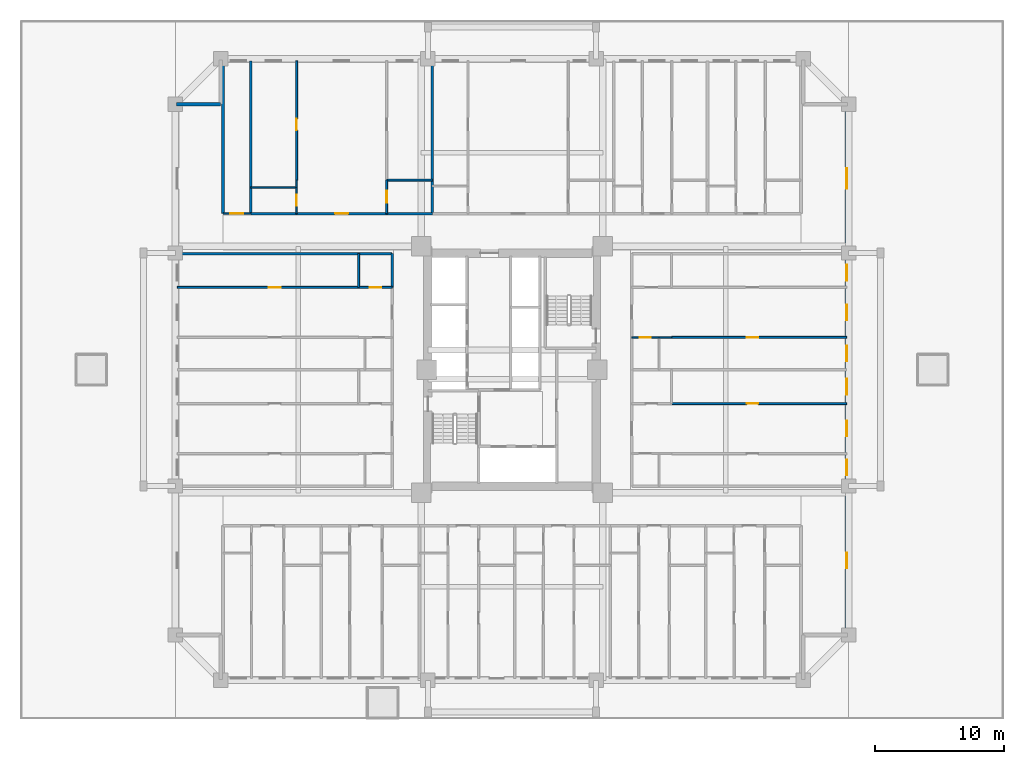
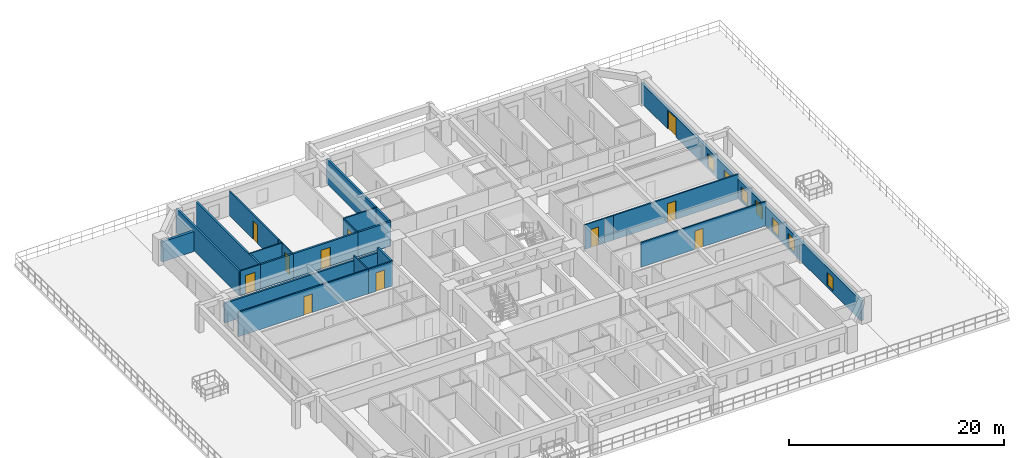
# One storey, part 7 of 19: 24 walls, 11 doors, 7 windows, 18 openings.
"""IFC4 building model written with IfcOpenShell, lengths in metres."""

from ifc_helpers import new_model, si_unit, direction, frame, frame_2d, origin, place, context, subcontext, project, spatial, rectangle, extrude, source, transform, mapped, material, layer, layer_set, type_object, element, fill, save


model = new_model("IFC4")

# Units and contexts
model_context = context("Model", 3, precision=1e-05, world=origin(), true_north=direction((0.0, 1.0)))
body_context = subcontext(model_context, "Body", "Model", "MODEL_VIEW")
ifc_project = project(units=[si_unit("LENGTHUNIT", "METRE"), si_unit("AREAUNIT", "SQUARE_METRE"), si_unit("VOLUMEUNIT", "CUBIC_METRE"), si_unit("PLANEANGLEUNIT", "RADIAN"), si_unit("MASSUNIT", "GRAM", prefix="KILO")], contexts=[model_context])

# Site, building, storey
site_placement = place(None, origin())
site = spatial("IfcSite", under=ifc_project, at=site_placement, CompositionType="ELEMENT")
building_placement = place(site_placement, origin())
building = spatial("IfcBuilding", under=site, at=building_placement, Name="Saelheon Loggia Tower", CompositionType="ELEMENT")
storey_placement = place(building_placement, frame((0.0, 0.0, 19.39990234375)))
storey = spatial("IfcBuildingStorey", under=building, at=storey_placement, Name="L05", CompositionType="ELEMENT", Elevation=19.39990234375)

# Wall, openings, windows, door
ifc_material_1 = material(Name="Architectural Precast Concrete C40/50", Category="concrete")
ifc_layer_1 = layer(ifc_material_1, 0.280029296875)
ifc_layer_set_1 = layer_set([ifc_layer_1], Name="Architectural Precast Concrete C40/50")
wall_type_1 = type_object("IfcWallType", Name="Wall_Ext_Loggia_280", PredefinedType="SOLIDWALL", material=ifc_layer_set_1)
wall_1_placement = place(storey_placement, frame((63.860107421875, 6.5, 0.0), z_axis=(0.0, 0.0, 1.0), x_axis=(0.0, 1.0, 0.0)))
wall_1 = element("IfcWall", 1, at=wall_1_placement, inside=storey, type_object=wall_type_1, Name="L05 East Loggia Inner Wall", PredefinedType="SOLIDWALL", context=body_context, shape_type="SweptSolid", body=[
    extrude(rectangle(XDim=41.0, YDim=0.280029296875, at=frame_2d((20.5, 0.0))), origin(), (0.0, 0.0, 1.0), 2.280029296875),
])
opening_1_placement = place(wall_1_placement, frame((5.14990234375, 0.0, 0.25)))
opening_1 = element("IfcOpeningElement", 2, at=opening_1_placement, cuts=wall_1, Name="Opening WN-03", PredefinedType="OPENING", context=body_context, shape_type="SweptSolid", body=[
    extrude(rectangle(XDim=1.199951171875, YDim=1.5, at=frame_2d((0.60009765625, 0.75))), frame((0.0, 0.152099609375, 0.0), z_axis=(0.0, -1.0, 0.0), x_axis=(1.0, 0.0, 0.0)), (0.0, 0.0, 1.0), 0.303955078125),
])
opening_2_placement = place(wall_1_placement, frame((12.3515625, 0.0, 0.25)))
opening_2 = element("IfcOpeningElement", 3, at=opening_2_placement, cuts=wall_1, Name="Opening WN-03", PredefinedType="OPENING", context=body_context, shape_type="SweptSolid", body=[
    extrude(rectangle(XDim=1.199951171875, YDim=1.5, at=frame_2d((0.60009765625, 0.75))), frame((0.0, 0.152099609375, 0.0), z_axis=(0.0, -1.0, 0.0), x_axis=(1.0, 0.0, 0.0)), (0.0, 0.0, 1.0), 0.303955078125),
])
opening_3_placement = place(wall_1_placement, frame((15.343994140625, 0.0, 0.25)))
opening_3 = element("IfcOpeningElement", 4, at=opening_3_placement, cuts=wall_1, Name="Opening WN-03", PredefinedType="OPENING", context=body_context, shape_type="SweptSolid", body=[
    extrude(rectangle(XDim=1.199951171875, YDim=1.5, at=frame_2d((0.60009765625, 0.75))), frame((0.0, 0.152099609375, 0.0), z_axis=(0.0, -1.0, 0.0), x_axis=(1.0, 0.0, 0.0)), (0.0, 0.0, 1.0), 0.303955078125),
])
opening_4_placement = place(wall_1_placement, frame((18.574951171875, 0.0, 0.25)))
opening_4 = element("IfcOpeningElement", 5, at=opening_4_placement, cuts=wall_1, Name="Opening WN-03", PredefinedType="OPENING", context=body_context, shape_type="SweptSolid", body=[
    extrude(rectangle(XDim=1.199951171875, YDim=1.5, at=frame_2d((0.60009765625, 0.75))), frame((0.0, 0.152099609375, 0.0), z_axis=(0.0, -1.0, 0.0), x_axis=(1.0, 0.0, 0.0)), (0.0, 0.0, 1.0), 0.303955078125),
])
opening_5_placement = place(wall_1_placement, frame((21.131591796875, 0.0, 0.25)))
opening_5 = element("IfcOpeningElement", 6, at=opening_5_placement, cuts=wall_1, Name="Opening WN-03", PredefinedType="OPENING", context=body_context, shape_type="SweptSolid", body=[
    extrude(rectangle(XDim=1.199951171875, YDim=1.5, at=frame_2d((0.60009765625, 0.75))), frame((0.0, 0.152099609375, 0.0), z_axis=(0.0, -1.0, 0.0), x_axis=(1.0, 0.0, 0.0)), (0.0, 0.0, 1.0), 0.303955078125),
])
opening_6_placement = place(wall_1_placement, frame((24.319091796875, 0.0, 0.25)))
opening_6 = element("IfcOpeningElement", 7, at=opening_6_placement, cuts=wall_1, Name="Opening WN-03", PredefinedType="OPENING", context=body_context, shape_type="SweptSolid", body=[
    extrude(rectangle(XDim=1.199951171875, YDim=1.5, at=frame_2d((0.60009765625, 0.75))), frame((0.0, 0.152099609375, 0.0), z_axis=(0.0, -1.0, 0.0), x_axis=(1.0, 0.0, 0.0)), (0.0, 0.0, 1.0), 0.303955078125),
])
opening_7_placement = place(wall_1_placement, frame((27.3798828125, 0.0, 0.25)))
opening_7 = element("IfcOpeningElement", 8, at=opening_7_placement, cuts=wall_1, Name="Opening WN-03", PredefinedType="OPENING", context=body_context, shape_type="SweptSolid", body=[
    extrude(rectangle(XDim=1.199951171875, YDim=1.5, at=frame_2d((0.60009765625, 0.75))), frame((0.0, 0.152099609375, 0.0), z_axis=(0.0, -1.0, 0.0), x_axis=(1.0, 0.0, 0.0)), (0.0, 0.0, 1.0), 0.303955078125),
])
opening_8_placement = place(wall_1_placement, frame((36.050048828125, 0.0, 0.0), z_axis=(0.0, 0.0, 1.0), x_axis=(-1.0, 0.0, 0.0)))
opening_8 = element("IfcOpeningElement", 9, at=opening_8_placement, cuts=wall_1, Name="Opening DLG-1", PredefinedType="OPENING", context=body_context, shape_type="SweptSolid", body=[
    extrude(rectangle(XDim=1.60009765625, YDim=2.14990234375, at=frame_2d((0.800048828125, 1.074951171875))), frame((0.0, 0.152099609375, 0.0), z_axis=(0.0, -1.0, 0.0), x_axis=(1.0, 0.0, 0.0)), (0.0, 0.0, 1.0), 0.303955078125),
])
ifc_material_2 = material(Name="Thermal-Break Aluminium and Triple Low-E Glass", Category="aluminium")
window_type = type_object("IfcWindowType", Name="Win_Bedroom_1200x1500", PartitioningType="SINGLE_PANEL", PredefinedType="WINDOW", material=ifc_material_2)
shared_shape_1 = source(origin(), body_context, "Body", "SweptSolid", [
    extrude(rectangle(XDim=1.199951171875, YDim=1.5, at=frame_2d((0.60009765625, 0.75))), frame((0.0, 0.030029296875, 0.0), z_axis=(0.0, -1.0, 0.0), x_axis=(1.0, 0.0, 0.0)), (0.0, 0.0, 1.0), 0.06005859375),
])
window_1_placement = place(opening_1_placement, origin())
window_1 = element("IfcWindow", 10, at=window_1_placement, inside=storey, type_object=window_type, Name="L05 E Dwelling Window 1", OverallHeight=1.5, OverallWidth=1.199951171875, PartitioningType="SINGLE_PANEL", PredefinedType="WINDOW", context=body_context, shape_type="MappedRepresentation", body=[
    mapped(shared_shape_1, transform((0.0, 0.0, 0.0), scale=1.0)),
])
fill(opening_1, window_1)
window_2_placement = place(opening_2_placement, origin())
window_2 = element("IfcWindow", 11, at=window_2_placement, inside=storey, type_object=window_type, Name="L05 E Dwelling Window 2", OverallHeight=1.5, OverallWidth=1.199951171875, PartitioningType="SINGLE_PANEL", PredefinedType="WINDOW", context=body_context, shape_type="MappedRepresentation", body=[
    mapped(shared_shape_1, transform((0.0, 0.0, 0.0), scale=1.0)),
])
fill(opening_2, window_2)
window_3_placement = place(opening_3_placement, origin())
window_3 = element("IfcWindow", 12, at=window_3_placement, inside=storey, type_object=window_type, Name="L05 E Dwelling Window 3", OverallHeight=1.5, OverallWidth=1.199951171875, PartitioningType="SINGLE_PANEL", PredefinedType="WINDOW", context=body_context, shape_type="MappedRepresentation", body=[
    mapped(shared_shape_1, transform((0.0, 0.0, 0.0), scale=1.0)),
])
fill(opening_3, window_3)
window_4_placement = place(opening_4_placement, origin())
window_4 = element("IfcWindow", 13, at=window_4_placement, inside=storey, type_object=window_type, Name="L05 E Dwelling Window 4", OverallHeight=1.5, OverallWidth=1.199951171875, PartitioningType="SINGLE_PANEL", PredefinedType="WINDOW", context=body_context, shape_type="MappedRepresentation", body=[
    mapped(shared_shape_1, transform((0.0, 0.0, 0.0), scale=1.0)),
])
fill(opening_4, window_4)
window_5_placement = place(opening_5_placement, origin())
window_5 = element("IfcWindow", 14, at=window_5_placement, inside=storey, type_object=window_type, Name="L05 E Dwelling Window 5", OverallHeight=1.5, OverallWidth=1.199951171875, PartitioningType="SINGLE_PANEL", PredefinedType="WINDOW", context=body_context, shape_type="MappedRepresentation", body=[
    mapped(shared_shape_1, transform((0.0, 0.0, 0.0), scale=1.0)),
])
fill(opening_5, window_5)
window_6_placement = place(opening_6_placement, origin())
window_6 = element("IfcWindow", 15, at=window_6_placement, inside=storey, type_object=window_type, Name="L05 E Dwelling Window 6", OverallHeight=1.5, OverallWidth=1.199951171875, PartitioningType="SINGLE_PANEL", PredefinedType="WINDOW", context=body_context, shape_type="MappedRepresentation", body=[
    mapped(shared_shape_1, transform((0.0, 0.0, 0.0), scale=1.0)),
])
fill(opening_6, window_6)
window_7_placement = place(opening_7_placement, origin())
window_7 = element("IfcWindow", 16, at=window_7_placement, inside=storey, type_object=window_type, Name="L05 E Dwelling Window 7", OverallHeight=1.5, OverallWidth=1.199951171875, PartitioningType="SINGLE_PANEL", PredefinedType="WINDOW", context=body_context, shape_type="MappedRepresentation", body=[
    mapped(shared_shape_1, transform((0.0, 0.0, 0.0), scale=1.0)),
])
fill(opening_7, window_7)
ifc_material_3 = material(Name="Thermal-Break Aluminium Sliding Glazed Door", Category="aluminium")
door_type_1 = type_object("IfcDoorType", Name="Door_LoggiaSlide_1600", OperationType="SLIDING_TO_LEFT", PredefinedType="DOOR", material=ifc_material_3)
shared_shape_2 = source(origin(), body_context, "Body", "SweptSolid", [
    extrude(rectangle(XDim=1.60009765625, YDim=2.14990234375, at=frame_2d((0.800048828125, 1.074951171875))), frame((0.0, 0.02490234375, 0.0), z_axis=(0.0, -1.0, 0.0), x_axis=(1.0, 0.0, 0.0)), (0.0, 0.0, 1.0), 0.050048828125),
])
door_1_placement = place(opening_8_placement, origin())
door_1 = element("IfcDoor", 17, at=door_1_placement, inside=storey, type_object=door_type_1, Name="L05 E Loggia Access Door", OperationType="SLIDING_TO_LEFT", OverallHeight=2.14990234375, OverallWidth=1.60009765625, PredefinedType="DOOR", context=body_context, shape_type="MappedRepresentation", body=[
    mapped(shared_shape_2, transform((0.0, 0.0, 0.0), scale=1.0)),
])
fill(opening_8, door_1)

# Walls
wall_2_placement = place(storey_placement, frame((12.080078125, 47.5, 0.0), z_axis=(0.0, 0.0, 1.0), x_axis=(1.0, 0.0, 0.0)))
element("IfcWall", 18, at=wall_2_placement, inside=storey, type_object=wall_type_1, Name="L05 Corner Notch Precast Wall NW2", PredefinedType="SOLIDWALL", context=body_context, shape_type="SweptSolid", body=[
    extrude(rectangle(XDim=3.419921875, YDim=0.280029296875, at=frame_2d((1.7099609375, 0.0))), origin(), (0.0, 0.0, 1.0), 2.280029296875),
])
ifc_material_4 = material(Name="Lightweight Autoclaved Aerated Concrete Block and Acoustic Gypsum", Category="concrete")
ifc_layer_2 = layer(ifc_material_4, 0.14990234375)
ifc_layer_set_2 = layer_set([ifc_layer_2], Name="Lightweight Autoclaved Aerated Concrete Block and Acoustic Gypsum")
wall_type_2 = type_object("IfcWallType", Name="Wall_Part_150", PredefinedType="PARTITIONING", material=ifc_layer_set_2)
wall_3_placement = place(storey_placement, frame((28.322998046875, 41.639892578125, 0.0), z_axis=(0.0, 0.0, 1.0), x_axis=(1.0, 0.0, 0.0)))
element("IfcWall", 19, at=wall_3_placement, inside=storey, type_object=wall_type_2, Name="L05 N Partition V09", PredefinedType="PARTITIONING", context=body_context, shape_type="SweptSolid", body=[
    extrude(rectangle(XDim=3.52880859375, YDim=0.14990234375, at=frame_2d((1.764404296875, 0.0))), origin(), (0.0, 0.0, 1.0), 2.7900390625),
])

# Wall, opening, door
wall_4_placement = place(storey_placement, frame((21.35888671875, 41.639892578125, 0.0), z_axis=(0.0, 0.0, 1.0), x_axis=(0.0, 1.0, 0.0)))
wall_4 = element("IfcWall", 20, at=wall_4_placement, inside=storey, type_object=wall_type_2, Name="L05 N Partition U12", PredefinedType="PARTITIONING", context=body_context, shape_type="SweptSolid", body=[
    extrude(rectangle(XDim=9.210205078125, YDim=0.14990234375, at=frame_2d((4.60498046875, 0.0))), origin(), (0.0, 0.0, 1.0), 2.7900390625),
])
opening_9_placement = place(wall_4_placement, frame((3.82861328125, 0.0, 0.0)))
opening_9 = element("IfcOpeningElement", 21, at=opening_9_placement, cuts=wall_4, Name="Opening D-IN2", PredefinedType="OPENING", context=body_context, shape_type="SweptSolid", body=[
    extrude(rectangle(XDim=0.89990234375, YDim=2.10009765625, at=frame_2d((0.449951171875, 1.050048828125))), frame((0.0, 0.0869140625, 0.0), z_axis=(0.0, -1.0, 0.0), x_axis=(1.0, 0.0, 0.0)), (0.0, 0.0, 1.0), 0.173828125),
])
ifc_material_5 = material(Name="Engineered Oak Flush Door", Category="timber")
door_type_2 = type_object("IfcDoorType", Name="Door_Int_900", OperationType="NOTDEFINED", PredefinedType="DOOR", material=ifc_material_5)
shared_shape_3 = source(origin(), body_context, "Body", "SweptSolid", [
    extrude(rectangle(XDim=0.89990234375, YDim=2.10009765625, at=frame_2d((0.449951171875, 1.050048828125))), frame((0.0, 0.02490234375, 0.0), z_axis=(0.0, -1.0, 0.0), x_axis=(1.0, 0.0, 0.0)), (0.0, 0.0, 1.0), 0.050048828125),
])
door_2_placement = place(opening_9_placement, origin())
door_2 = element("IfcDoor", 22, at=door_2_placement, inside=storey, type_object=door_type_2, Name="Unit U07 Bedroom 2 Door", OperationType="SINGLE_SWING_RIGHT", OverallHeight=2.10009765625, OverallWidth=0.89990234375, PredefinedType="DOOR", context=body_context, shape_type="MappedRepresentation", body=[
    mapped(shared_shape_3, transform((0.0, 0.0, 0.0), scale=1.0)),
])
fill(opening_9, door_2)

wall_5_placement = place(storey_placement, frame((28.322998046875, 39.050048828125, 0.0), z_axis=(0.0, 0.0, 1.0), x_axis=(0.0, 1.0, 0.0)))
wall_5 = element("IfcWall", 23, at=wall_5_placement, inside=storey, type_object=wall_type_2, Name="L05 N Partition U13", PredefinedType="PARTITIONING", context=body_context, shape_type="SweptSolid", body=[
    extrude(rectangle(XDim=2.58984375, YDim=0.14990234375, at=frame_2d((1.294921875, 0.0))), origin(), (0.0, 0.0, 1.0), 2.7900390625),
])
opening_10_placement = place(wall_5_placement, frame((0.844970703125, 0.0, 0.0)))
opening_10 = element("IfcOpeningElement", 24, at=opening_10_placement, cuts=wall_5, Name="Opening D-IN2", PredefinedType="OPENING", context=body_context, shape_type="SweptSolid", body=[
    extrude(rectangle(XDim=0.89990234375, YDim=2.10009765625, at=frame_2d((0.449951171875, 1.050048828125))), frame((0.0, 0.0869140625, 0.0), z_axis=(0.0, -1.0, 0.0), x_axis=(1.0, 0.0, 0.0)), (0.0, 0.0, 1.0), 0.173828125),
])
door_3_placement = place(opening_10_placement, origin())
door_3 = element("IfcDoor", 25, at=door_3_placement, inside=storey, type_object=door_type_2, Name="Unit U07 Kitchen Door", OperationType="SINGLE_SWING_LEFT", OverallHeight=2.10009765625, OverallWidth=0.89990234375, PredefinedType="DOOR", context=body_context, shape_type="MappedRepresentation", body=[
    mapped(shared_shape_3, transform((0.0, 0.0, 0.0), scale=1.0)),
])
fill(opening_10, door_3)

# Wall
wall_6_placement = place(storey_placement, frame((26.159912109375, 33.35009765625, 0.0), z_axis=(0.0, 0.0, 1.0), x_axis=(0.0, 1.0, 0.0)))
element("IfcWall", 26, at=wall_6_placement, inside=storey, type_object=wall_type_2, Name="L05 W Partition V18", PredefinedType="PARTITIONING", context=body_context, shape_type="SweptSolid", body=[
    extrude(rectangle(XDim=2.599853515625, YDim=0.14990234375, at=frame_2d((1.2998046875, 0.0))), origin(), (0.0, 0.0, 1.0), 2.7900390625),
])

# Wall, opening, door
wall_7_placement = place(storey_placement, frame((28.75, 33.35009765625, 0.0), z_axis=(0.0, 0.0, 1.0), x_axis=(-1.0, 0.0, 0.0)))
wall_7 = element("IfcWall", 27, at=wall_7_placement, inside=storey, type_object=wall_type_2, Name="L05 W Partition U22", PredefinedType="PARTITIONING", context=body_context, shape_type="SweptSolid", body=[
    extrude(rectangle(XDim=2.590087890625, YDim=0.14990234375, at=frame_2d((1.294921875, 0.0))), origin(), (0.0, 0.0, 1.0), 2.7900390625),
])
opening_11_placement = place(wall_7_placement, frame((0.844970703125, 0.0, 0.0)))
opening_11 = element("IfcOpeningElement", 28, at=opening_11_placement, cuts=wall_7, Name="Opening D-IN2", PredefinedType="OPENING", context=body_context, shape_type="SweptSolid", body=[
    extrude(rectangle(XDim=0.89990234375, YDim=2.10009765625, at=frame_2d((0.449951171875, 1.050048828125))), frame((0.0, 0.0869140625, 0.0), z_axis=(0.0, -1.0, 0.0), x_axis=(1.0, 0.0, 0.0)), (0.0, 0.0, 1.0), 0.173828125),
])
door_4_placement = place(opening_11_placement, origin())
door_4 = element("IfcDoor", 29, at=door_4_placement, inside=storey, type_object=door_type_2, Name="Unit U12 Dressing Closet Door", OperationType="SINGLE_SWING_RIGHT", OverallHeight=2.10009765625, OverallWidth=0.89990234375, PredefinedType="DOOR", context=body_context, shape_type="MappedRepresentation", body=[
    mapped(shared_shape_3, transform((0.0, 0.0, 0.0), scale=1.0)),
])
fill(opening_11, door_4)

wall_8_placement = place(storey_placement, frame((26.159912109375, 33.35009765625, 0.0), z_axis=(0.0, 0.0, 1.0), x_axis=(-1.0, 0.0, 0.0)))
wall_8 = element("IfcWall", 30, at=wall_8_placement, inside=storey, type_object=wall_type_2, Name="L05 W Partition U23", PredefinedType="PARTITIONING", context=body_context, shape_type="SweptSolid", body=[
    extrude(rectangle(XDim=14.010009765625, YDim=0.14990234375, at=frame_2d((7.0048828125, 0.0))), origin(), (0.0, 0.0, 1.0), 2.7900390625),
])
opening_12_placement = place(wall_8_placement, frame((6.02880859375, 0.0, 0.0)))
opening_12 = element("IfcOpeningElement", 31, at=opening_12_placement, cuts=wall_8, Name="Opening D-IN2", PredefinedType="OPENING", context=body_context, shape_type="SweptSolid", body=[
    extrude(rectangle(XDim=0.89990234375, YDim=2.10009765625, at=frame_2d((0.449951171875, 1.050048828125))), frame((0.0, 0.0869140625, 0.0), z_axis=(0.0, -1.0, 0.0), x_axis=(1.0, 0.0, 0.0)), (0.0, 0.0, 1.0), 0.173828125),
])
door_5_placement = place(opening_12_placement, origin())
door_5 = element("IfcDoor", 32, at=door_5_placement, inside=storey, type_object=door_type_2, Name="Unit U12 Bedroom 1 Door", OperationType="SINGLE_SWING_LEFT", OverallHeight=2.10009765625, OverallWidth=0.89990234375, PredefinedType="DOOR", context=body_context, shape_type="MappedRepresentation", body=[
    mapped(shared_shape_3, transform((0.0, 0.0, 0.0), scale=1.0)),
])
fill(opening_12, door_5)

wall_9_placement = place(storey_placement, frame((50.320068359375, 24.375, 0.0), z_axis=(0.0, 0.0, 1.0), x_axis=(1.0, 0.0, 0.0)))
wall_9 = element("IfcWall", 33, at=wall_9_placement, inside=storey, type_object=wall_type_2, Name="L05 E Partition U12", PredefinedType="PARTITIONING", context=body_context, shape_type="SweptSolid", body=[
    extrude(rectangle(XDim=13.530029296875, YDim=0.14990234375, at=frame_2d((6.76513671875, 0.0))), origin(), (0.0, 0.0, 1.0), 2.7900390625),
])
opening_13_placement = place(wall_9_placement, frame((5.808837890625, 0.0, 0.0)))
opening_13 = element("IfcOpeningElement", 34, at=opening_13_placement, cuts=wall_9, Name="Opening D-IN2", PredefinedType="OPENING", context=body_context, shape_type="SweptSolid", body=[
    extrude(rectangle(XDim=0.89990234375, YDim=2.10009765625, at=frame_2d((0.449951171875, 1.050048828125))), frame((0.0, 0.0869140625, 0.0), z_axis=(0.0, -1.0, 0.0), x_axis=(1.0, 0.0, 0.0)), (0.0, 0.0, 1.0), 0.173828125),
])
door_6_placement = place(opening_13_placement, origin())
door_6 = element("IfcDoor", 35, at=door_6_placement, inside=storey, type_object=door_type_2, Name="Unit U13 Bedroom 1 Door", OperationType="SINGLE_SWING_RIGHT", OverallHeight=2.10009765625, OverallWidth=0.89990234375, PredefinedType="DOOR", context=body_context, shape_type="MappedRepresentation", body=[
    mapped(shared_shape_3, transform((0.0, 0.0, 0.0), scale=1.0)),
])
fill(opening_13, door_6)

wall_10_placement = place(storey_placement, frame((50.320068359375, 29.488037109375, 0.0), z_axis=(0.0, 0.0, 1.0), x_axis=(1.0, 0.0, 0.0)))
wall_10 = element("IfcWall", 36, at=wall_10_placement, inside=storey, type_object=wall_type_2, Name="L05 E Partition U21", PredefinedType="PARTITIONING", context=body_context, shape_type="SweptSolid", body=[
    extrude(rectangle(XDim=13.530029296875, YDim=0.14990234375, at=frame_2d((6.76513671875, 0.0))), origin(), (0.0, 0.0, 1.0), 2.7900390625),
])
opening_14_placement = place(wall_10_placement, frame((5.808837890625, 0.0, 0.0)))
opening_14 = element("IfcOpeningElement", 37, at=opening_14_placement, cuts=wall_10, Name="Opening D-IN2", PredefinedType="OPENING", context=body_context, shape_type="SweptSolid", body=[
    extrude(rectangle(XDim=0.89990234375, YDim=2.10009765625, at=frame_2d((0.449951171875, 1.050048828125))), frame((0.0, 0.0869140625, 0.0), z_axis=(0.0, -1.0, 0.0), x_axis=(1.0, 0.0, 0.0)), (0.0, 0.0, 1.0), 0.173828125),
])
door_7_placement = place(opening_14_placement, origin())
door_7 = element("IfcDoor", 38, at=door_7_placement, inside=storey, type_object=door_type_2, Name="Unit U14 Kitchen Door", OperationType="SINGLE_SWING_LEFT", OverallHeight=2.10009765625, OverallWidth=0.89990234375, PredefinedType="DOOR", context=body_context, shape_type="MappedRepresentation", body=[
    mapped(shared_shape_3, transform((0.0, 0.0, 0.0), scale=1.0)),
])
fill(opening_14, door_7)

# Walls
ifc_material_6 = material(Name="Double Acoustic Stud and Fireboard Partition", Category="gypsum")
ifc_layer_3 = layer(ifc_material_6, 0.199951171875)
ifc_layer_set_3 = layer_set([ifc_layer_3], Name="Double Acoustic Stud and Fireboard Partition")
wall_type_3 = type_object("IfcWallType", Name="Wall_Party_200", PredefinedType="PARTITIONING", material=ifc_layer_set_3)
for number, where, z_axis, x_axis, name in (
    (39, (15.679931640625, 39.050048828125, 0.0), (0.0, 0.0, 1.0), (0.0, 1.0, 0.0), "L05 N Partition U01"),
    (40, (17.830078125, 39.050048828125, 0.0), (0.0, 0.0, 1.0), (0.0, 1.0, 0.0), "L05 N Partition U03"),
):
    element("IfcWall", number, at=place(storey_placement, frame(where, z_axis=z_axis, x_axis=x_axis)), inside=storey, type_object=wall_type_3, Name=name, PredefinedType="PARTITIONING", context=body_context, shape_type="SweptSolid", body=[
        extrude(rectangle(XDim=11.800048828125, YDim=0.199951171875, at=frame_2d((5.89990234375, 0.0))), origin(), (0.0, 0.0, 1.0), 2.7900390625),
    ])
wall_11_placement = place(storey_placement, frame((17.830078125, 39.050048828125, 0.0), z_axis=(0.0, 0.0, 1.0), x_axis=(1.0, 0.0, 0.0)))
element("IfcWall", 41, at=wall_11_placement, inside=storey, type_object=wall_type_3, Name="L05 N Partition V05", PredefinedType="PARTITIONING", context=body_context, shape_type="SweptSolid", body=[
    extrude(rectangle(XDim=3.52880859375, YDim=0.199951171875, at=frame_2d((1.764404296875, 0.0))), origin(), (0.0, 0.0, 1.0), 2.7900390625),
])

# Wall, opening, door
wall_12_placement = place(storey_placement, frame((21.35888671875, 39.050048828125, 0.0), z_axis=(0.0, 0.0, 1.0), x_axis=(1.0, 0.0, 0.0)))
wall_12 = element("IfcWall", 42, at=wall_12_placement, inside=storey, type_object=wall_type_3, Name="L05 N Partition V06", PredefinedType="PARTITIONING", context=body_context, shape_type="SweptSolid", body=[
    extrude(rectangle(XDim=6.964111328125, YDim=0.199951171875, at=frame_2d((3.48193359375, 0.0))), origin(), (0.0, 0.0, 1.0), 2.7900390625),
])
opening_15_placement = place(wall_12_placement, frame((2.982177734375, 0.0, 0.0)))
opening_15 = element("IfcOpeningElement", 43, at=opening_15_placement, cuts=wall_12, Name="Opening D-FD1", PredefinedType="OPENING", context=body_context, shape_type="SweptSolid", body=[
    extrude(rectangle(XDim=1.0, YDim=2.14990234375, at=frame_2d((0.5, 1.074951171875))), frame((0.0, 0.112060546875, 0.0), z_axis=(0.0, -1.0, 0.0), x_axis=(1.0, 0.0, 0.0)), (0.0, 0.0, 1.0), 0.223876953125),
])
ifc_material_7 = material(Name="Fire-Rated Engineered Timber Entrance Door", Category="wood")
door_type_3 = type_object("IfcDoorType", Name="Door_Flat_FD30S", OperationType="NOTDEFINED", PredefinedType="DOOR", material=ifc_material_7)
shared_shape_4 = source(origin(), body_context, "Body", "SweptSolid", [
    extrude(rectangle(XDim=1.0, YDim=2.14990234375, at=frame_2d((0.5, 1.074951171875))), frame((0.0, 0.02490234375, 0.0), z_axis=(0.0, -1.0, 0.0), x_axis=(1.0, 0.0, 0.0)), (0.0, 0.0, 1.0), 0.050048828125),
])
door_8_placement = place(opening_15_placement, origin())
door_8 = element("IfcDoor", 44, at=door_8_placement, inside=storey, type_object=door_type_3, Name="Unit U07 Entrance Door", OperationType="SINGLE_SWING_RIGHT", OverallHeight=2.14990234375, OverallWidth=1.0, PredefinedType="DOOR", context=body_context, shape_type="MappedRepresentation", body=[
    mapped(shared_shape_4, transform((0.0, 0.0, 0.0), scale=1.0)),
])
fill(opening_15, door_8)

# Walls
wall_13_placement = place(storey_placement, frame((28.322998046875, 39.050048828125, 0.0), z_axis=(0.0, 0.0, 1.0), x_axis=(1.0, 0.0, 0.0)))
element("IfcWall", 45, at=wall_13_placement, inside=storey, type_object=wall_type_3, Name="L05 N Partition V07", PredefinedType="PARTITIONING", context=body_context, shape_type="SweptSolid", body=[
    extrude(rectangle(XDim=3.52880859375, YDim=0.199951171875, at=frame_2d((1.764404296875, 0.0))), origin(), (0.0, 0.0, 1.0), 2.7900390625),
])
wall_14_placement = place(storey_placement, frame((31.851806640625, 39.050048828125, 0.0), z_axis=(0.0, 0.0, 1.0), x_axis=(0.0, 1.0, 0.0)))
element("IfcWall", 46, at=wall_14_placement, inside=storey, type_object=wall_type_3, Name="L05 N Partition U15", PredefinedType="PARTITIONING", context=body_context, shape_type="SweptSolid", body=[
    extrude(rectangle(XDim=11.800048828125, YDim=0.199951171875, at=frame_2d((5.89990234375, 0.0))), origin(), (0.0, 0.0, 1.0), 2.7900390625),
])
wall_15_placement = place(storey_placement, frame((28.75, 35.949951171875, 0.0), z_axis=(0.0, 0.0, 1.0), x_axis=(-1.0, 0.0, 0.0)))
element("IfcWall", 47, at=wall_15_placement, inside=storey, type_object=wall_type_3, Name="L05 W Partition U02", PredefinedType="PARTITIONING", context=body_context, shape_type="SweptSolid", body=[
    extrude(rectangle(XDim=16.60009765625, YDim=0.199951171875, at=frame_2d((8.300048828125, 0.0))), origin(), (0.0, 0.0, 1.0), 2.239990234375),
])
wall_16_placement = place(storey_placement, frame((28.75, 33.35009765625, 0.0), z_axis=(0.0, 0.0, 1.0), x_axis=(0.0, 1.0, 0.0)))
element("IfcWall", 48, at=wall_16_placement, inside=storey, type_object=wall_type_3, Name="L05 W Partition V16", PredefinedType="PARTITIONING", context=body_context, shape_type="SweptSolid", body=[
    extrude(rectangle(XDim=2.599853515625, YDim=0.199951171875, at=frame_2d((1.2998046875, 0.0))), origin(), (0.0, 0.0, 1.0), 2.7900390625),
])

# Wall, opening, door
ifc_material_8 = material(Name="Moisture-Resistant Cement Board Partition", Category="gypsum")
ifc_layer_4 = layer(ifc_material_8, 0.1201171875)
ifc_layer_set_4 = layer_set([ifc_layer_4], Name="Moisture-Resistant Cement Board Partition")
wall_type_4 = type_object("IfcWallType", Name="Wall_WetPart_120", PredefinedType="PARTITIONING", material=ifc_layer_set_4)
wall_17_placement = place(storey_placement, frame((15.679931640625, 39.050048828125, 0.0), z_axis=(0.0, 0.0, 1.0), x_axis=(1.0, 0.0, 0.0)))
wall_17 = element("IfcWall", 49, at=wall_17_placement, inside=storey, type_object=wall_type_4, Name="L05 N Partition V04", PredefinedType="PARTITIONING", context=body_context, shape_type="SweptSolid", body=[
    extrude(rectangle(XDim=2.150146484375, YDim=0.1201171875, at=frame_2d((1.0751953125, 0.0))), origin(), (0.0, 0.0, 1.0), 2.7900390625),
])
opening_16_placement = place(wall_17_placement, frame((0.574951171875, 0.0, 0.0)))
opening_16 = element("IfcOpeningElement", 50, at=opening_16_placement, cuts=wall_17, Name="Opening D-AC1", PredefinedType="OPENING", context=body_context, shape_type="SweptSolid", body=[
    extrude(rectangle(XDim=1.0, YDim=2.10009765625, at=frame_2d((0.5, 1.050048828125))), frame((0.0, 0.072021484375, 0.0), z_axis=(0.0, -1.0, 0.0), x_axis=(1.0, 0.0, 0.0)), (0.0, 0.0, 1.0), 0.14404296875),
])
ifc_material_9 = material(Name="Accessible Laminate Flush Door", Category="timber")
door_type_4 = type_object("IfcDoorType", Name="Door_Acc_1000", OperationType="NOTDEFINED", PredefinedType="DOOR", material=ifc_material_9)
shared_shape_5 = source(origin(), body_context, "Body", "SweptSolid", [
    extrude(rectangle(XDim=1.0, YDim=2.10009765625, at=frame_2d((0.5, 1.050048828125))), frame((0.0, 0.02490234375, 0.0), z_axis=(0.0, -1.0, 0.0), x_axis=(1.0, 0.0, 0.0)), (0.0, 0.0, 1.0), 0.050048828125),
])
door_9_placement = place(opening_16_placement, origin())
door_9 = element("IfcDoor", 51, at=door_9_placement, inside=storey, type_object=door_type_4, Name="L05 Floor Accessible WC Door", OperationType="SINGLE_SWING_LEFT", OverallHeight=2.10009765625, OverallWidth=1.0, PredefinedType="DOOR", context=body_context, shape_type="MappedRepresentation", body=[
    mapped(shared_shape_5, transform((0.0, 0.0, 0.0), scale=1.0)),
])
fill(opening_16, door_9)

# Wall
wall_18_placement = place(storey_placement, frame((17.830078125, 41.070068359375, 0.0), z_axis=(0.0, 0.0, 1.0), x_axis=(1.0, 0.0, 0.0)))
element("IfcWall", 52, at=wall_18_placement, inside=storey, type_object=wall_type_4, Name="L05 N Partition V08", PredefinedType="PARTITIONING", context=body_context, shape_type="SweptSolid", body=[
    extrude(rectangle(XDim=3.52880859375, YDim=0.1201171875, at=frame_2d((1.764404296875, 0.0))), origin(), (0.0, 0.0, 1.0), 2.7900390625),
])

# Wall, opening, door
wall_19_placement = place(storey_placement, frame((21.35888671875, 39.050048828125, 0.0), z_axis=(0.0, 0.0, 1.0), x_axis=(0.0, 1.0, 0.0)))
wall_19 = element("IfcWall", 53, at=wall_19_placement, inside=storey, type_object=wall_type_4, Name="L05 N Partition U10", PredefinedType="PARTITIONING", context=body_context, shape_type="SweptSolid", body=[
    extrude(rectangle(XDim=2.02001953125, YDim=0.1201171875, at=frame_2d((1.010009765625, 0.0))), origin(), (0.0, 0.0, 1.0), 2.7900390625),
])
opening_17_placement = place(wall_19_placement, frame((0.5849609375, 0.0, 0.0)))
opening_17 = element("IfcOpeningElement", 54, at=opening_17_placement, cuts=wall_19, Name="Opening D-BT1", PredefinedType="OPENING", context=body_context, shape_type="SweptSolid", body=[
    extrude(rectangle(XDim=0.85009765625, YDim=2.050048828125, at=frame_2d((0.425048828125, 1.02490234375))), frame((0.0, 0.072021484375, 0.0), z_axis=(0.0, -1.0, 0.0), x_axis=(1.0, 0.0, 0.0)), (0.0, 0.0, 1.0), 0.14404296875),
])
ifc_material_10 = material(Name="Moisture-Resistant Laminate Timber Door", Category="wood")
door_type_5 = type_object("IfcDoorType", Name="Door_Bath_850", OperationType="NOTDEFINED", PredefinedType="DOOR", material=ifc_material_10)
shared_shape_6 = source(origin(), body_context, "Body", "SweptSolid", [
    extrude(rectangle(XDim=0.85009765625, YDim=2.050048828125, at=frame_2d((0.425048828125, 1.02490234375))), frame((0.0, 0.02490234375, 0.0), z_axis=(0.0, -1.0, 0.0), x_axis=(1.0, 0.0, 0.0)), (0.0, 0.0, 1.0), 0.050048828125),
])
door_10_placement = place(opening_17_placement, origin())
door_10 = element("IfcDoor", 55, at=door_10_placement, inside=storey, type_object=door_type_5, Name="Unit U07 Bathroom Door", OperationType="SINGLE_SWING_LEFT", OverallHeight=2.050048828125, OverallWidth=0.85009765625, PredefinedType="DOOR", context=body_context, shape_type="MappedRepresentation", body=[
    mapped(shared_shape_6, transform((0.0, 0.0, 0.0), scale=1.0)),
])
fill(opening_17, door_10)

# Wall
wall_20_placement = place(storey_placement, frame((21.35888671875, 41.070068359375, 0.0), z_axis=(0.0, 0.0, 1.0), x_axis=(0.0, 1.0, 0.0)))
element("IfcWall", 56, at=wall_20_placement, inside=storey, type_object=wall_type_4, Name="L05 N Partition U11", PredefinedType="PARTITIONING", context=body_context, shape_type="SweptSolid", body=[
    extrude(rectangle(XDim=0.56982421875, YDim=0.1201171875, at=frame_2d((0.284912109375, 0.0))), origin(), (0.0, 0.0, 1.0), 2.7900390625),
])

# Wall, opening, door
wall_21_placement = place(storey_placement, frame((47.25, 29.488037109375, 0.0), z_axis=(0.0, 0.0, 1.0), x_axis=(1.0, 0.0, 0.0)))
wall_21 = element("IfcWall", 57, at=wall_21_placement, inside=storey, type_object=wall_type_4, Name="L05 E Partition U19", PredefinedType="PARTITIONING", context=body_context, shape_type="SweptSolid", body=[
    extrude(rectangle(XDim=2.1201171875, YDim=0.1201171875, at=frame_2d((1.06005859375, 0.0))), origin(), (0.0, 0.0, 1.0), 2.7900390625),
])
opening_18_placement = place(wall_21_placement, frame((0.635009765625, 0.0, 0.0)))
opening_18 = element("IfcOpeningElement", 58, at=opening_18_placement, cuts=wall_21, Name="Opening D-BT1", PredefinedType="OPENING", context=body_context, shape_type="SweptSolid", body=[
    extrude(rectangle(XDim=0.85009765625, YDim=2.050048828125, at=frame_2d((0.425048828125, 1.02490234375))), frame((0.0, 0.072021484375, 0.0), z_axis=(0.0, -1.0, 0.0), x_axis=(1.0, 0.0, 0.0)), (0.0, 0.0, 1.0), 0.14404296875),
])
door_11_placement = place(opening_18_placement, origin())
door_11 = element("IfcDoor", 59, at=door_11_placement, inside=storey, type_object=door_type_5, Name="Unit U14 Bathroom Door", OperationType="SINGLE_SWING_RIGHT", OverallHeight=2.050048828125, OverallWidth=0.85009765625, PredefinedType="DOOR", context=body_context, shape_type="MappedRepresentation", body=[
    mapped(shared_shape_6, transform((0.0, 0.0, 0.0), scale=1.0)),
])
fill(opening_18, door_11)

# Wall
wall_22_placement = place(storey_placement, frame((49.3701171875, 29.488037109375, 0.0), z_axis=(0.0, 0.0, 1.0), x_axis=(1.0, 0.0, 0.0)))
element("IfcWall", 60, at=wall_22_placement, inside=storey, type_object=wall_type_4, Name="L05 E Partition U20", PredefinedType="PARTITIONING", context=body_context, shape_type="SweptSolid", body=[
    extrude(rectangle(XDim=0.949951171875, YDim=0.1201171875, at=frame_2d((0.47509765625, 0.0))), origin(), (0.0, 0.0, 1.0), 2.7900390625),
])

save(model, "model.ifc")
